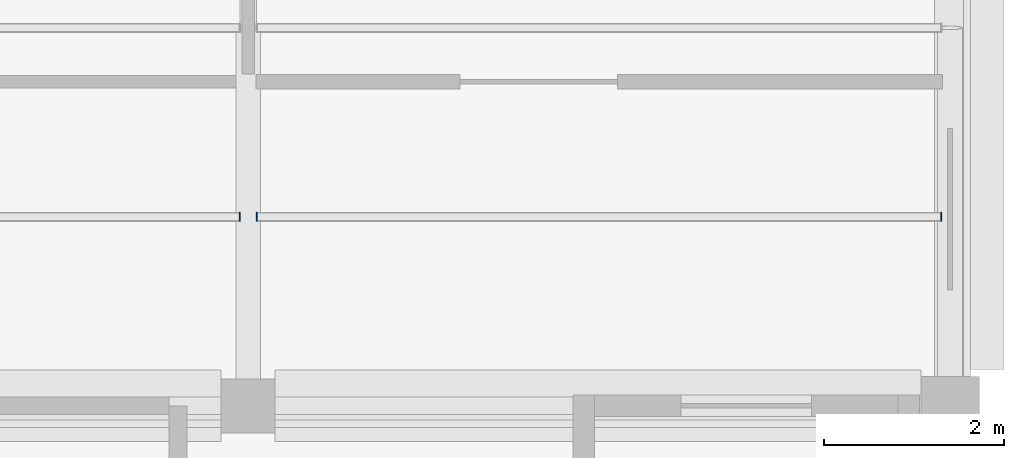
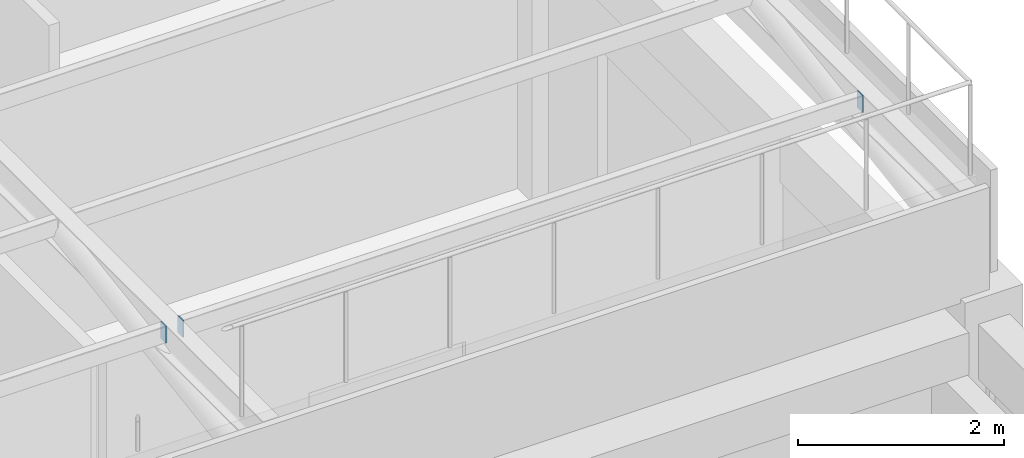
# One storey, part 6 of 20: 3 plates.
"""IFC4 building model written with IfcOpenShell, lengths in metres."""

from ifc_helpers import new_model, si_unit, direction, frame, origin, origin_2d, place, context, subcontext, project, spatial, rectangle, extrude, material, layer, layer_set, type_object, element, save


model = new_model("IFC4")

# Units and contexts
model_context = context("Model", 3, precision=1e-05, world=origin(), true_north=direction((0.0, 1.0)))
body_context = subcontext(model_context, "Body", "Model", "MODEL_VIEW")
ifc_project = project(units=[si_unit("LENGTHUNIT", "METRE"), si_unit("AREAUNIT", "SQUARE_METRE"), si_unit("VOLUMEUNIT", "CUBIC_METRE"), si_unit("PLANEANGLEUNIT", "RADIAN"), si_unit("MASSUNIT", "GRAM", prefix="KILO"), si_unit("THERMODYNAMICTEMPERATUREUNIT", "KELVIN"), si_unit("POWERUNIT", "WATT")], contexts=[model_context])

# Site, building, storey
site_placement = place(None, origin())
site = spatial("IfcSite", under=ifc_project, at=site_placement, CompositionType="ELEMENT")
building_placement = place(site_placement, origin())
building = spatial("IfcBuilding", under=site, at=building_placement, Name="Srebrne Nadtorze General Hospital", CompositionType="ELEMENT")
storey_placement = place(building_placement, frame((0.0, 0.0, 33.89990234375)))
storey = spatial("IfcBuildingStorey", under=building, at=storey_placement, Name="L08", CompositionType="ELEMENT", Elevation=33.89990234375)

# Plates
ifc_material = material(Name="Steel S355J2", Category="steel")
ifc_layer = layer(ifc_material, 0.011962890625)
ifc_layer_set = layer_set([ifc_layer], Name="Steel S355J2")
plate_type = type_object("IfcPlateType", Name="Steel bearing plate 12", PredefinedType="SHEET", material=ifc_layer_set)
for number, where, z_axis, x_axis, name in (
    (1, (46.7041015625, 52.5, 4.64013671875), (0.0, 0.0, 1.0), (1.0, 0.0, 0.0), "Helipad deck purlin end plate 10-2"),
    (2, (46.89599609375, 52.5, 4.64013671875), (0.0, 0.0, 1.0), (1.0, 0.0, 0.0), "Helipad deck purlin end plate 19-1"),
    (3, (54.50390625, 52.5, 4.64013671875), (0.0, 0.0, 1.0), (1.0, 0.0, 0.0), "Helipad deck purlin end plate 19-2"),
):
    element("IfcPlate", number, at=place(storey_placement, frame(where, z_axis=z_axis, x_axis=x_axis)), inside=storey, type_object=plate_type, Name=name, PredefinedType="SHEET", context=body_context, shape_type="SweptSolid", body=[
        extrude(rectangle(XDim=0.011962890625, YDim=0.10009765625, at=origin_2d()), origin(), (0.0, 0.0, 1.0), 0.199951171875),
    ])

save(model, "model.ifc")
